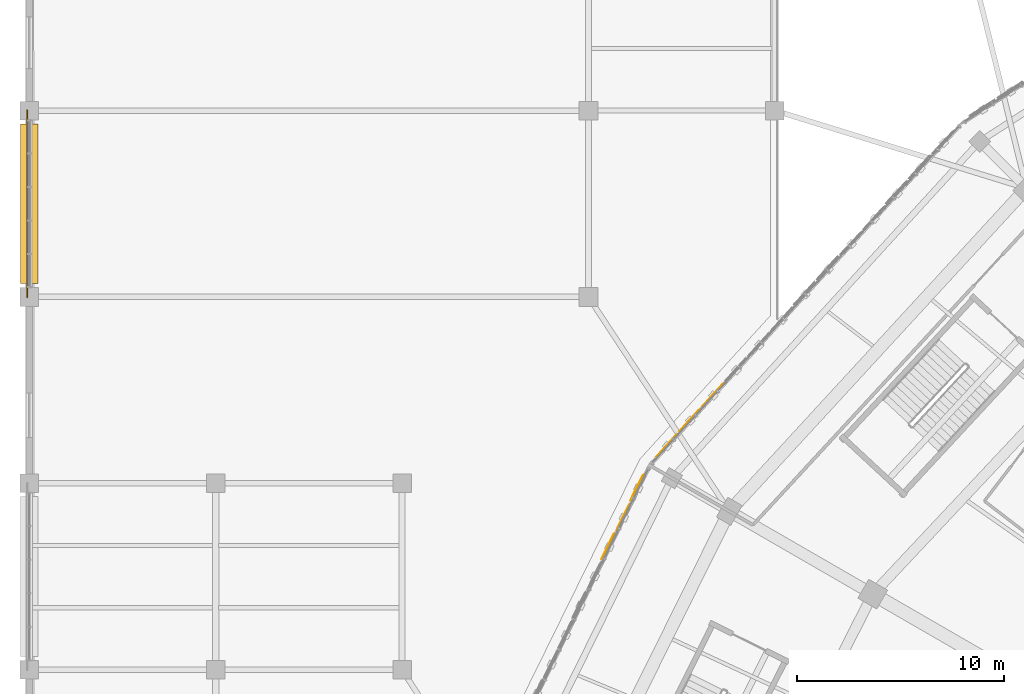
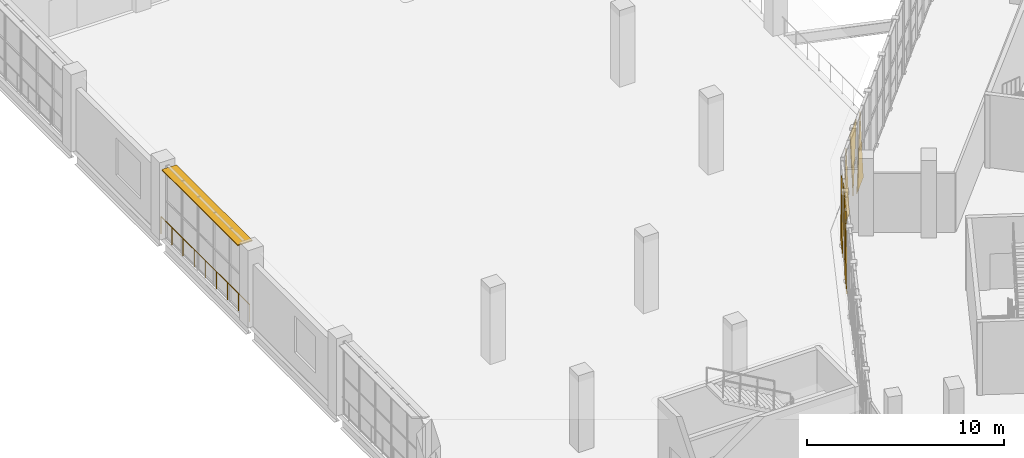
# One storey, part 157 of 183: 6 coverings, 1 railing, 1 shading device.
"""IFC4 building model written with IfcOpenShell, lengths in metres."""

import ifcopenshell
import ifcopenshell.guid

model = None  # the IFC model being written
_history = None  # IfcOwnerHistory: only IFC2X3 demands one
_inside = {}  # id of a spatial element -> (the spatial element, [elements in it])
_under = {}  # id of a project, library or spatial element -> (it, [spatial elements below it])
_declared = {}  # id of a project -> (the project, [libraries it declares])
_typed = {}  # id of a type object -> (the type object, [elements of that type])
_made_of = {}  # id of a material, layer set ... -> (it, [elements and type objects made of it])


def new_model(schema):
    """Start an empty IFC model of exactly this schema.

    Asked for "IFC4X3", IfcOpenShell would pick the latest addendum, in which some entities
    have other attributes; the version numbers below select the first issue.
    IFC2X3 requires an IfcOwnerHistory on every rooted entity: one is made here for all.
    """
    global model, _history
    if schema == "IFC4X3":
        model = ifcopenshell.file(schema_version=(4, 3, 0, 0))
    else:
        model = ifcopenshell.file(schema=schema)
    _inside.clear()
    _under.clear()
    _declared.clear()
    _typed.clear()
    _made_of.clear()
    _history = None
    if model.schema == "IFC2X3":
        org = make("IfcOrganization", Name="unknown")
        user = make(
            "IfcPersonAndOrganization",
            ThePerson=make("IfcPerson", FamilyName="unknown"),
            TheOrganization=org,
        )
        app = make(
            "IfcApplication",
            ApplicationDeveloper=org,
            Version="unknown",
            ApplicationFullName="unknown",
            ApplicationIdentifier="unknown",
        )
        _history = make(
            "IfcOwnerHistory",
            OwningUser=user,
            OwningApplication=app,
            ChangeAction="ADDED",
            CreationDate=0,
        )
    return model


def make(cls, **values):
    """One entity of the class cls with the attributes given. An attribute that is None is left unset."""
    return model.create_entity(
        cls, **{name: value for name, value in values.items() if value is not None}
    )


def rooted(cls, **values):
    """An entity with a GlobalId (a new one), such as an element, a storey or a relation."""
    return make(cls, GlobalId=ifcopenshell.guid.new(), OwnerHistory=_history, **values)


def si_unit(unit_type, name, prefix=None):
    """IfcSIUnit, for example si_unit("LENGTHUNIT", "METRE", prefix="MILLI")."""
    return make("IfcSIUnit", UnitType=unit_type, Prefix=prefix, Name=name)


def assignment(units):
    """IfcUnitAssignment: the units of a project."""
    return None if units is None else make("IfcUnitAssignment", Units=units)


def point(xyz):
    """IfcCartesianPoint."""
    return None if xyz is None else make("IfcCartesianPoint", Coordinates=xyz)


def direction(xyz):
    """IfcDirection."""
    return None if xyz is None else make("IfcDirection", DirectionRatios=xyz)


def frame(location, z_axis=None, x_axis=None):
    """IfcAxis2Placement3D, a coordinate frame: its origin and axes. An axis left out is left unset."""
    return make(
        "IfcAxis2Placement3D",
        Location=point(location),
        Axis=direction(z_axis),
        RefDirection=direction(x_axis),
    )


def frame_2d(location, x_axis=None):
    """IfcAxis2Placement2D, a coordinate frame in the plane: its origin and x axis."""
    return make(
        "IfcAxis2Placement2D", Location=point(location), RefDirection=direction(x_axis)
    )


def origin():
    """The frame at (0, 0, 0) with its axes left unset."""
    return frame((0.0, 0.0, 0.0))


def origin_2d():
    """The frame at (0, 0) in the plane with its x axis left unset."""
    return frame_2d((0.0, 0.0))


def place(relative_to, where):
    """IfcLocalPlacement: puts the frame where relative to a parent placement (None: the world)."""
    return make(
        "IfcLocalPlacement", PlacementRelTo=relative_to, RelativePlacement=where
    )


def context(
    kind, dimensions, precision=None, world=None, true_north=None, identifier=None
):
    """IfcGeometricRepresentationContext, for example the 3D "Model" context."""
    return make(
        "IfcGeometricRepresentationContext",
        ContextIdentifier=identifier,
        ContextType=kind,
        CoordinateSpaceDimension=dimensions,
        Precision=precision,
        WorldCoordinateSystem=world,
        TrueNorth=true_north,
    )


def subcontext(parent, identifier, kind, view, scale=None):
    """IfcGeometricRepresentationSubContext, for example "Body" below "Model"."""
    return make(
        "IfcGeometricRepresentationSubContext",
        ContextIdentifier=identifier,
        ContextType=kind,
        ParentContext=parent,
        TargetScale=scale,
        TargetView=view,
    )


def project(units=None, contexts=None):
    """IfcProject with its units and contexts."""
    return rooted(
        "IfcProject",
        Name="project",
        RepresentationContexts=contexts,
        UnitsInContext=assignment(units),
    )


def spatial(cls, under=None, at=None, **own):
    """A site, building, storey or space (cls), placed at a placement, below another one or the project."""
    s = rooted(cls, ObjectPlacement=at, **own)
    if under is not None:
        _under.setdefault(under.id(), (under, []))[1].append(s)
    return s


def polyline(points):
    """IfcPolyline through the points."""
    return make("IfcPolyline", Points=[point(p) for p in points])


def profile(cls, at=None, kind="AREA", **sizes):
    """A parametric profile (cls). Its sizes go by their IFC names, for example OverallWidth=200.0."""
    return make(cls, ProfileType=kind, Position=at, **sizes)


def rectangle(**sizes):
    """IfcRectangleProfileDef."""
    return profile("IfcRectangleProfileDef", **sizes)


def circle(**sizes):
    """IfcCircleProfileDef."""
    return profile("IfcCircleProfileDef", **sizes)


def outline(outer, holes=None, kind="AREA"):
    """IfcArbitraryClosedProfileDef: a profile drawn as a closed curve; with holes, ...WithVoids."""
    if holes is None:
        return make("IfcArbitraryClosedProfileDef", ProfileType=kind, OuterCurve=outer)
    return make(
        "IfcArbitraryProfileDefWithVoids",
        ProfileType=kind,
        OuterCurve=outer,
        InnerCurves=holes,
    )


def extrude(swept, where, along, depth):
    """IfcExtrudedAreaSolid: the profile swept, set in the frame where, extruded along a direction by depth."""
    return make(
        "IfcExtrudedAreaSolid",
        SweptArea=swept,
        Position=where,
        ExtrudedDirection=direction(along),
        Depth=depth,
    )


def shape(context_of_items, identifier, shape_type, items):
    """IfcShapeRepresentation: the items that make up one representation, for example the "Body"."""
    return make(
        "IfcShapeRepresentation",
        ContextOfItems=context_of_items,
        RepresentationIdentifier=identifier,
        RepresentationType=shape_type,
        Items=items,
    )


def material(Name=None, Category=None):
    """IfcMaterial."""
    return make("IfcMaterial", Name=Name, Category=Category)


def layer(
    of_material, thickness, ventilated=None, Name=None, Category=None, Priority=None
):
    """IfcMaterialLayer: one layer of a wall or slab, of a material (None: an air gap)."""
    return make(
        "IfcMaterialLayer",
        Material=of_material,
        LayerThickness=thickness,
        IsVentilated=ventilated,
        Name=Name,
        Category=Category,
        Priority=Priority,
    )


def layer_set(layers, Name=None):
    """IfcMaterialLayerSet."""
    return make("IfcMaterialLayerSet", MaterialLayers=layers, LayerSetName=Name)


def made_of(thing, what):
    """Note that an element or type object is made of a material, layer set ...; save() writes the relation."""
    if what is not None:
        _made_of.setdefault(what.id(), (what, []))[1].append(thing)
    return thing


def type_object(cls, material=None, **own):
    """A type object (cls), such as IfcWallType, which elements share."""
    return made_of(rooted(cls, **own), material)


def element(
    cls,
    number,
    at=None,
    inside=None,
    cuts=None,
    type_object=None,
    material=None,
    context=None,
    identifier="Body",
    shape_type=None,
    held_by="IfcProductDefinitionShape",
    body=None,
    shapes=None,
    **own,
):
    """One element of the class cls, such as IfcWall. Its Tag is "e" and its number.

    at: its placement. inside: the storey or other place that contains it. cuts: it is an
    opening in that element (IfcRelVoidsElement). A single representation is given by context,
    identifier, shape_type and body (its items); several are given by shapes. held_by: the class
    of the entity that holds the representations. save() writes the other relations.
    """
    e = rooted(cls, Tag="e%d" % number, ObjectPlacement=at, **own)
    if body is not None:
        shapes = [shape(context, identifier, shape_type, body)]
    if shapes is not None:
        e.Representation = make(held_by, Representations=shapes)
    if inside is not None:
        _inside.setdefault(inside.id(), (inside, []))[1].append(e)
    if cuts is not None:
        rooted(
            "IfcRelVoidsElement", RelatingBuildingElement=cuts, RelatedOpeningElement=e
        )
    if type_object is not None:
        _typed.setdefault(type_object.id(), (type_object, []))[1].append(e)
    return made_of(e, material)


def aggregate(whole, parts):
    """IfcRelAggregates: a whole, such as a stair, and the parts it consists of."""
    return rooted("IfcRelAggregates", RelatingObject=whole, RelatedObjects=parts)


def save(model, path):
    """Write the relations noted so far, then the file.

    IfcRelAggregates (storeys below a building ...), IfcRelContainedInSpatialStructure (elements
    in a storey), IfcRelDefinesByType, IfcRelAssociatesMaterial and IfcRelDeclares: one each for
    every whole, place, type object, material and project.
    """
    for whole, parts in _under.values():
        aggregate(whole, parts)
    for where, things in _inside.values():
        rooted(
            "IfcRelContainedInSpatialStructure",
            RelatedElements=things,
            RelatingStructure=where,
        )
    for kind, things in _typed.values():
        rooted("IfcRelDefinesByType", RelatedObjects=things, RelatingType=kind)
    for what, things in _made_of.values():
        rooted("IfcRelAssociatesMaterial", RelatedObjects=things, RelatingMaterial=what)
    for by, libraries in _declared.values():
        rooted("IfcRelDeclares", RelatingContext=by, RelatedDefinitions=libraries)
    model.write(path)


model = new_model("IFC4")

# Units and contexts
model_context = context("Model", 3, precision=1e-05, world=origin(), true_north=direction((0.0, 1.0)))
body_context = subcontext(model_context, "Body", "Model", "MODEL_VIEW")
ifc_project = project(units=[si_unit("LENGTHUNIT", "METRE"), si_unit("AREAUNIT", "SQUARE_METRE"), si_unit("VOLUMEUNIT", "CUBIC_METRE"), si_unit("PLANEANGLEUNIT", "RADIAN"), si_unit("MASSUNIT", "GRAM", prefix="KILO")], contexts=[model_context])

# Site, building, storey
site_placement = place(None, origin())
site = spatial("IfcSite", under=ifc_project, at=site_placement, CompositionType="ELEMENT")
building_placement = place(site_placement, origin())
building = spatial("IfcBuilding", under=site, at=building_placement, Name="Zevraka Park Crest Stadium", CompositionType="ELEMENT")
storey_placement = place(building_placement, frame((0.0, 0.0, 5.39990234375)))
storey = spatial("IfcBuildingStorey", under=building, at=storey_placement, Name="L01", CompositionType="ELEMENT", Elevation=5.39990234375)

# Coverings
ifc_material_1 = material(Name="Architectural golden-bronze perforated aluminium", Category="aluminium")
ifc_layer_1 = layer(ifc_material_1, 0.034912109375)
ifc_layer_set_1 = layer_set([ifc_layer_1], Name="Architectural golden-bronze perforated aluminium")
covering_type = type_object("IfcCoveringType", Name="CLD01", PredefinedType="CLADDING", material=ifc_layer_set_1)
covering_1_placement = place(storey_placement, frame((33.487060546875, 135.833984375, -0.260009765625), z_axis=(-0.738850371143, 0.673869512184, 9.8032371e-05), x_axis=(-0.673869515422, -0.738850374694, 0.0)))
element("IfcCovering", 1, at=covering_1_placement, inside=storey, type_object=covering_type, Name="Triangular Golden-Bronze Perforated Cladding L01-09-11", PredefinedType="CLADDING", context=body_context, shape_type="SweptSolid", body=[
    extrude(outline(polyline([(0.0, 0.0), (1.4915750454979064, 1.3552527156068805e-20), (0.7453762254372943, 4.600097678354265), (0.0, 0.0)])), origin(), (0.0, 0.0, -1.0), 0.034912109375),
])
covering_2_placement = place(storey_placement, frame((31.3701171875, 133.511962890625, 4.5), z_axis=(-0.738931869956, 0.673780145489, 8.4304834e-05), x_axis=(0.673780147884, 0.738931872582, 0.0)))
element("IfcCovering", 2, at=covering_2_placement, inside=storey, type_object=covering_type, Name="Triangular Golden-Bronze Perforated Cladding L01-09-12", PredefinedType="CLADDING", context=body_context, shape_type="SweptSolid", body=[
    extrude(outline(polyline([(0.0, 0.0), (1.4914105374817646, 0.0), (0.7453762745280483, 4.27978517145887), (0.0, 0.0)])), origin(), (0.0, 0.0, -1.0), 0.034912109375),
])
covering_3_placement = place(storey_placement, frame((31.261962890625, 133.39404296875, -0.260009765625), z_axis=(-0.739257935755, 0.673422381884, 0.0), x_axis=(-0.673422381884, -0.739257935755, 0.0)))
element("IfcCovering", 3, at=covering_3_placement, inside=storey, type_object=covering_type, Name="Triangular Golden-Bronze Perforated Cladding L01-09-13", PredefinedType="CLADDING", context=body_context, shape_type="SweptSolid", body=[
    extrude(outline(polyline([(0.0, 0.0), (1.4907527237079923, 0.0), (0.7453763618539961, 4.60009765625), (0.0, 0.0)])), origin(), (0.0, 0.0, -1.0), 0.034912109375),
])
covering_4_placement = place(storey_placement, frame((29.6669921875, 131.424072265625, -0.260009765625), z_axis=(0.897262884804, -0.441496663763, 0.000106956486), x_axis=(-0.441496666288, -0.897262889936, 0.0)))
element("IfcCovering", 4, at=covering_4_placement, inside=storey, type_object=covering_type, Name="Triangular Golden-Bronze Perforated Cladding L01-10-1", PredefinedType="CLADDING", context=body_context, shape_type="SweptSolid", body=[
    extrude(outline(polyline([(0.0, 0.0), (1.4200631009776323, -6.776263578034403e-21), (0.7101375958715329, -4.600097682561845), (0.0, 0.0)])), origin(), (0.0, 0.0, -1.0), 0.034912109375),
])
covering_5_placement = place(storey_placement, frame((28.342041015625, 128.73095703125, 4.5), z_axis=(-0.897396801117, 0.441224389291, 0.00014013863), x_axis=(0.441224393624, 0.897396809929, 0.0)))
element("IfcCovering", 5, at=covering_5_placement, inside=storey, type_object=covering_type, Name="Triangular Golden-Bronze Perforated Cladding L01-10-2", PredefinedType="CLADDING", context=body_context, shape_type="SweptSolid", body=[
    extrude(outline(polyline([(0.0, 0.0), (1.4209393996793769, -1.3552527156068805e-20), (0.7105828947683128, 4.2797851982749995), (0.0, 0.0)])), origin(), (0.0, 0.0, -1.0), 0.034912109375),
])
covering_6_placement = place(storey_placement, frame((28.27099609375, 128.587890625, -0.260009765625), z_axis=(0.89736335211, -0.441292433592, 4.8410033e-05), x_axis=(-0.441292434109, -0.897363353162, 0.0)))
element("IfcCovering", 6, at=covering_6_placement, inside=storey, type_object=covering_type, Name="Triangular Golden-Bronze Perforated Cladding L01-10-3", PredefinedType="CLADDING", context=body_context, shape_type="SweptSolid", body=[
    extrude(outline(polyline([(0.0, 0.0), (1.420720312745091, 0.0), (0.7110137968936739, -4.600097661640237), (0.0, 0.0)])), origin(), (0.0, 0.0, -1.0), 0.034912109375),
])

# Railing
ifc_material_2 = material(Name="Galvanised and bronze-finished steel balustrade", Category="steel")
railing_type = type_object("IfcRailingType", Name="GR01", PredefinedType="GUARDRAIL", material=ifc_material_2)
railing_placement = place(storey_placement, frame((-0.10498046875, 139.990966796875, 0.0)))
element("IfcRailing", 7, at=railing_placement, inside=storey, type_object=railing_type, Name="Deck Edge Protection Guardrail GR01 L01-52", PredefinedType="GUARDRAIL", context=body_context, shape_type="SweptSolid", body=[
    extrude(circle(Radius=0.02392578125, at=origin_2d()), frame((0.0, 0.0, 1.076171875), z_axis=(0.0, 1.0, 0.0), x_axis=(-1.0, 0.0, 0.0)), (0.0, 0.0, 1.0), 9.01806640625),
    extrude(circle(Radius=0.02099609375, at=origin_2d()), origin(), (0.0, 0.0, 1.0), 1.052001953125),
    extrude(circle(Radius=0.02099609375, at=origin_2d()), frame((0.0, 1.127197265625, 0.0)), (0.0, 0.0, 1.0), 1.052001953125),
    extrude(circle(Radius=0.02099609375, at=origin_2d()), frame((0.0, 2.25439453125, 0.0)), (0.0, 0.0, 1.0), 1.052001953125),
    extrude(circle(Radius=0.02099609375, at=origin_2d()), frame((0.0, 3.3818359375, 0.0)), (0.0, 0.0, 1.0), 1.052001953125),
    extrude(circle(Radius=0.02099609375, at=origin_2d()), frame((0.0, 4.509033203125, 0.0)), (0.0, 0.0, 1.0), 1.052001953125),
    extrude(circle(Radius=0.02099609375, at=origin_2d()), frame((0.0, 5.63623046875, 0.0)), (0.0, 0.0, 1.0), 1.052001953125),
    extrude(circle(Radius=0.02099609375, at=origin_2d()), frame((0.0, 6.763671875, 0.0)), (0.0, 0.0, 1.0), 1.052001953125),
    extrude(circle(Radius=0.02099609375, at=origin_2d()), frame((0.0, 7.890869140625, 0.0)), (0.0, 0.0, 1.0), 1.052001953125),
    extrude(circle(Radius=0.02099609375, at=origin_2d()), frame((0.0, 9.01806640625, 0.0)), (0.0, 0.0, 1.0), 1.052001953125),
])

# Shading device
ifc_material_3 = material(Name="Architectural golden-bronze anodised bronze", Category="aluminium")
ifc_layer_2 = layer(ifc_material_3, 0.06005859375)
ifc_layer_set_2 = layer_set([ifc_layer_2], Name="Architectural golden-bronze anodised bronze")
shading_device_type = type_object("IfcShadingDeviceType", Name="SHD01", PredefinedType="USERDEFINED", material=ifc_layer_set_2)
shading_device_placement = place(storey_placement, frame((0.0, 144.5, 4.440185546875), z_axis=(0.0, 0.0, 1.0), x_axis=(0.0, 1.0, 0.0)))
element("IfcShadingDevice", 8, at=shading_device_placement, inside=storey, type_object=shading_device_type, Name="Wing Bronze Solar Screen SHD01 L01-NW-W-4", ObjectType="SOLAR SCREEN", PredefinedType="USERDEFINED", context=body_context, shape_type="SweptSolid", body=[
    extrude(rectangle(XDim=7.719970703125, YDim=0.85009765625, at=origin_2d()), origin(), (0.0, 0.0, 1.0), 0.06005859375),
])

save(model, "model.ifc")
